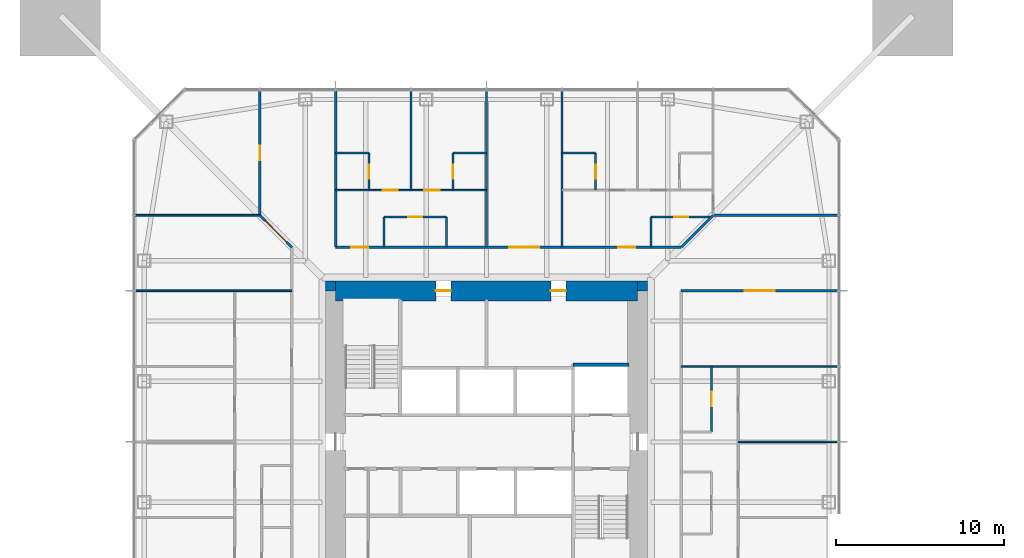
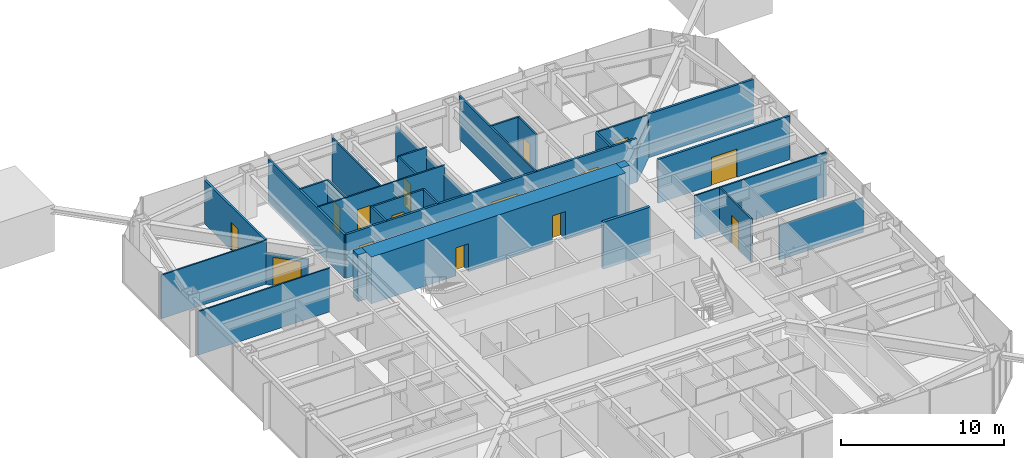
# One storey, part 15 of 25: 31 walls, 16 doors, 16 openings.
"""IFC4 building model written with IfcOpenShell, lengths in metres."""

from ifc_helpers import new_model, si_unit, direction, frame, frame_2d, origin, place, context, subcontext, project, spatial, rectangle, extrude, material, layer, layer_set, type_object, element, fill, save


model = new_model("IFC4")

# Units and contexts
model_context = context("Model", 3, precision=1e-05, world=origin(), true_north=direction((0.0, 1.0)))
body_context = subcontext(model_context, "Body", "Model", "MODEL_VIEW")
ifc_project = project(units=[si_unit("LENGTHUNIT", "METRE"), si_unit("AREAUNIT", "SQUARE_METRE"), si_unit("VOLUMEUNIT", "CUBIC_METRE"), si_unit("PLANEANGLEUNIT", "RADIAN"), si_unit("MASSUNIT", "GRAM", prefix="KILO")], contexts=[model_context])

# Site, building, storey
site_placement = place(None, origin())
site = spatial("IfcSite", under=ifc_project, at=site_placement, CompositionType="ELEMENT")
building_placement = place(site_placement, origin())
building = spatial("IfcBuilding", under=site, at=building_placement, Name="Iwan Alto Co-Living Towers", CompositionType="ELEMENT")
storey_placement = place(building_placement, frame((0.0, 0.0, 105.0)))
storey = spatial("IfcBuildingStorey", under=building, at=storey_placement, Name="L28", CompositionType="ELEMENT", Elevation=105.0)

# Wall, opening, door
ifc_material_1 = material(Name="Gypsum board")
ifc_layer_1 = layer(ifc_material_1, 0.02490234375, Name="Board", Category="Finish")
ifc_material_2 = material(Name="Steel ASTM A1003 ST33H cold-formed studs", Category="steel")
ifc_layer_2 = layer(ifc_material_2, 0.10009765625, Name="Studs", Category="Framing")
ifc_layer_3 = layer(ifc_material_1, 0.02490234375, Name="Board", Category="Finish")
ifc_layer_set_1 = layer_set([ifc_layer_1, ifc_layer_2, ifc_layer_3], Name="CORRIDOR WALL 150")
wall_type_1 = type_object("IfcWallType", Name="CORRIDOR WALL 150", PredefinedType="PARTITIONING", material=ifc_layer_set_1)
wall_1_placement = place(storey_placement, frame((11.60009765625, 9.0, 0.0), z_axis=(0.0, 0.0, 1.0), x_axis=(1.0, 0.0, 0.0)))
wall_1 = element("IfcWall", 1, at=wall_1_placement, inside=storey, type_object=wall_type_1, Name="Partition L28", PredefinedType="PARTITIONING", context=body_context, shape_type="SweptSolid", body=[
    extrude(rectangle(XDim=9.33984375, YDim=0.14990234375, at=frame_2d((4.669921875, 0.0))), origin(), (0.0, 0.0, 1.0), 3.27001953125),
])
opening_1_placement = place(wall_1_placement, frame((3.77001953125, 0.0, 0.0)))
opening_1 = element("IfcOpeningElement", 2, at=opening_1_placement, cuts=wall_1, Name="Opening D9", PredefinedType="OPENING", context=body_context, shape_type="SweptSolid", body=[
    extrude(rectangle(XDim=1.800048828125, YDim=2.10009765625, at=frame_2d((0.89990234375, 1.050048828125))), frame((0.0, 0.0849609375, 0.0), z_axis=(0.0, -1.0, 0.0), x_axis=(1.0, 0.0, 0.0)), (0.0, 0.0, 1.0), 0.169921875),
])
ifc_material_3 = material(Name="Steel frame with timber leaf", Category="steel")
door_type_1 = type_object("IfcDoorType", Name="LOUNGE DOOR FD30S 1800X2100", OperationType="DOUBLE_DOOR_SINGLE_SWING", PredefinedType="DOOR", material=ifc_material_3)
door_1_placement = place(opening_1_placement, frame((1.800048828125, 0.0, 0.0), z_axis=(0.0, 0.0, 1.0), x_axis=(-1.0, 0.0, 0.0)))
door_1 = element("IfcDoor", 3, at=door_1_placement, inside=storey, type_object=door_type_1, Name="Games room door L28", OperationType="DOUBLE_DOOR_SINGLE_SWING", OverallHeight=2.10009765625, OverallWidth=1.800048828125, PredefinedType="DOOR", context=body_context, shape_type="SweptSolid", body=[
    extrude(rectangle(XDim=1.800048828125, YDim=2.10009765625, at=frame_2d((0.89990234375, 1.050048828125))), frame((0.0, 0.02490234375, 0.0), z_axis=(0.0, -1.0, 0.0), x_axis=(1.0, 0.0, 0.0)), (0.0, 0.0, 1.0), 0.050048828125),
])
fill(opening_1, door_1)

# Wall, openings, doors
wall_2_placement = place(storey_placement, frame((-9.0, 11.60009765625, 0.0), z_axis=(0.0, 0.0, 1.0), x_axis=(1.0, 0.0, 0.0)))
wall_2 = element("IfcWall", 4, at=wall_2_placement, inside=storey, type_object=wall_type_1, Name="Partition L28", PredefinedType="PARTITIONING", context=body_context, shape_type="SweptSolid", body=[
    extrude(rectangle(XDim=20.60009765625, YDim=0.14990234375, at=frame_2d((10.300048828125, 0.0))), origin(), (0.0, 0.0, 1.0), 3.27001953125),
])
opening_2_placement = place(wall_2_placement, frame((16.85009765625, 0.0, 0.0)))
opening_2 = element("IfcOpeningElement", 5, at=opening_2_placement, cuts=wall_2, Name="Opening D3", PredefinedType="OPENING", context=body_context, shape_type="SweptSolid", body=[
    extrude(rectangle(XDim=1.0, YDim=2.10009765625, at=frame_2d((0.5, 1.050048828125))), frame((0.0, 0.0849609375, 0.0), z_axis=(0.0, -1.0, 0.0), x_axis=(1.0, 0.0, 0.0)), (0.0, 0.0, 1.0), 0.169921875),
])
opening_3_placement = place(wall_2_placement, frame((10.35009765625, 0.0, 0.0)))
opening_3 = element("IfcOpeningElement", 6, at=opening_3_placement, cuts=wall_2, Name="Opening D9", PredefinedType="OPENING", context=body_context, shape_type="SweptSolid", body=[
    extrude(rectangle(XDim=1.800048828125, YDim=2.10009765625, at=frame_2d((0.89990234375, 1.050048828125))), frame((0.0, 0.0849609375, 0.0), z_axis=(0.0, -1.0, 0.0), x_axis=(1.0, 0.0, 0.0)), (0.0, 0.0, 1.0), 0.169921875),
])
opening_4_placement = place(wall_2_placement, frame((0.949951171875, 0.0, 0.0)))
opening_4 = element("IfcOpeningElement", 7, at=opening_4_placement, cuts=wall_2, Name="Opening D3", PredefinedType="OPENING", context=body_context, shape_type="SweptSolid", body=[
    extrude(rectangle(XDim=1.0, YDim=2.10009765625, at=frame_2d((0.5, 1.050048828125))), frame((0.0, 0.0849609375, 0.0), z_axis=(0.0, -1.0, 0.0), x_axis=(1.0, 0.0, 0.0)), (0.0, 0.0, 1.0), 0.169921875),
])
ifc_material_4 = material(Name="Steel frame with timber leaf", Category="steel")
door_type_2 = type_object("IfcDoorType", Name="FLAT ENTRANCE DOOR FD30S 1000X2100", OperationType="SINGLE_SWING_LEFT", PredefinedType="DOOR", material=ifc_material_4)
door_2_placement = place(opening_2_placement, origin())
door_2 = element("IfcDoor", 8, at=door_2_placement, inside=storey, type_object=door_type_2, Name="Cluster lounge door L28", OperationType="SINGLE_SWING_RIGHT", OverallHeight=2.10009765625, OverallWidth=1.0, PredefinedType="DOOR", context=body_context, shape_type="SweptSolid", body=[
    extrude(rectangle(XDim=1.0, YDim=2.10009765625, at=frame_2d((0.5, 1.050048828125))), frame((0.0, 0.02490234375, 0.0), z_axis=(0.0, -1.0, 0.0), x_axis=(1.0, 0.0, 0.0)), (0.0, 0.0, 1.0), 0.050048828125),
])
fill(opening_2, door_2)
door_3_placement = place(opening_4_placement, origin())
door_3 = element("IfcDoor", 9, at=door_3_placement, inside=storey, type_object=door_type_2, Name="Cluster lounge and shared kitchen door L28", OperationType="SINGLE_SWING_LEFT", OverallHeight=2.10009765625, OverallWidth=1.0, PredefinedType="DOOR", context=body_context, shape_type="SweptSolid", body=[
    extrude(rectangle(XDim=1.0, YDim=2.10009765625, at=frame_2d((0.5, 1.050048828125))), frame((0.0, 0.02490234375, 0.0), z_axis=(0.0, -1.0, 0.0), x_axis=(1.0, 0.0, 0.0)), (0.0, 0.0, 1.0), 0.050048828125),
])
fill(opening_4, door_3)
door_4_placement = place(opening_3_placement, origin())
door_4 = element("IfcDoor", 10, at=door_4_placement, inside=storey, type_object=door_type_1, Name="Reading room door L28", OperationType="DOUBLE_DOOR_SINGLE_SWING", OverallHeight=2.10009765625, OverallWidth=1.800048828125, PredefinedType="DOOR", context=body_context, shape_type="SweptSolid", body=[
    extrude(rectangle(XDim=1.800048828125, YDim=2.10009765625, at=frame_2d((0.89990234375, 1.050048828125))), frame((0.0, 0.02490234375, 0.0), z_axis=(0.0, -1.0, 0.0), x_axis=(1.0, 0.0, 0.0)), (0.0, 0.0, 1.0), 0.050048828125),
])
fill(opening_3, door_4)

# Walls
wall_3_placement = place(storey_placement, frame((13.5, 13.5, 0.0), z_axis=(0.0, 0.0, 1.0), x_axis=(1.0, 0.0, 0.0)))
element("IfcWall", 11, at=wall_3_placement, inside=storey, type_object=wall_type_1, Name="Partition L28", PredefinedType="PARTITIONING", context=body_context, shape_type="SweptSolid", body=[
    extrude(rectangle(XDim=7.43994140625, YDim=0.14990234375, at=frame_2d((3.719970703125, 0.0))), origin(), (0.0, 0.0, 1.0), 3.27001953125),
])
wall_4_placement = place(storey_placement, frame((11.60009765625, 11.60009765625, 0.0), z_axis=(0.0, 0.0, 1.0), x_axis=(0.707106781187, 0.707106781187, 0.0)))
element("IfcWall", 12, at=wall_4_placement, inside=storey, type_object=wall_type_1, Name="Partition L28", PredefinedType="PARTITIONING", context=body_context, shape_type="SweptSolid", body=[
    extrude(rectangle(XDim=2.686767578125, YDim=0.14990234375, at=frame_2d((1.34326171875, 0.0))), origin(), (0.0, 0.0, 1.0), 2.343017578125),
])
wall_5_placement = place(storey_placement, frame((-9.0, 11.60009765625, 0.0), z_axis=(0.0, 0.0, 1.0), x_axis=(0.0, 1.0, 0.0)))
element("IfcWall", 13, at=wall_5_placement, inside=storey, type_object=wall_type_1, Name="Partition L28", PredefinedType="PARTITIONING", context=body_context, shape_type="SweptSolid", body=[
    extrude(rectangle(XDim=9.33984375, YDim=0.14990234375, at=frame_2d((4.669921875, 0.0))), origin(), (0.0, 0.0, 1.0), 3.27001953125),
])

# Wall, opening, door
wall_6_placement = place(storey_placement, frame((-13.5, 13.5, 0.0), z_axis=(0.0, 0.0, 1.0), x_axis=(0.0, 1.0, 0.0)))
wall_6 = element("IfcWall", 14, at=wall_6_placement, inside=storey, type_object=wall_type_1, Name="Partition L28", PredefinedType="PARTITIONING", context=body_context, shape_type="SweptSolid", body=[
    extrude(rectangle(XDim=7.43994140625, YDim=0.14990234375, at=frame_2d((3.719970703125, 0.0))), origin(), (0.0, 0.0, 1.0), 3.27001953125),
])
opening_5_placement = place(wall_6_placement, frame((3.294921875, 0.0, 0.0)))
opening_5 = element("IfcOpeningElement", 15, at=opening_5_placement, cuts=wall_6, Name="Opening D2", PredefinedType="OPENING", context=body_context, shape_type="SweptSolid", body=[
    extrude(rectangle(XDim=0.85009765625, YDim=2.10009765625, at=frame_2d((0.425048828125, 1.050048828125))), frame((0.0, 0.0849609375, 0.0), z_axis=(0.0, -1.0, 0.0), x_axis=(1.0, 0.0, 0.0)), (0.0, 0.0, 1.0), 0.169921875),
])
ifc_material_5 = material(Name="Timber leaf in steel frame", Category="steel")
door_type_3 = type_object("IfcDoorType", Name="ROOM DOOR 850X2100", OperationType="SINGLE_SWING_LEFT", PredefinedType="DOOR", material=ifc_material_5)
door_5_placement = place(opening_5_placement, origin())
door_5 = element("IfcDoor", 16, at=door_5_placement, inside=storey, type_object=door_type_3, Name="Shared kitchen and lounge door L28", OperationType="SINGLE_SWING_LEFT", OverallHeight=2.10009765625, OverallWidth=0.85009765625, PredefinedType="DOOR", context=body_context, shape_type="SweptSolid", body=[
    extrude(rectangle(XDim=0.85009765625, YDim=2.10009765625, at=frame_2d((0.425048828125, 1.050048828125))), frame((0.0, 0.02490234375, 0.0), z_axis=(0.0, -1.0, 0.0), x_axis=(1.0, 0.0, 0.0)), (0.0, 0.0, 1.0), 0.050048828125),
])
fill(opening_5, door_5)

wall_7_placement = place(storey_placement, frame((-11.60009765625, 11.60009765625, 0.0), z_axis=(0.0, 0.0, 1.0), x_axis=(-0.707106781187, 0.707106781187, 0.0)))
wall_7 = element("IfcWall", 17, at=wall_7_placement, inside=storey, type_object=wall_type_1, Name="Partition L28", PredefinedType="PARTITIONING", context=body_context, shape_type="SweptSolid", body=[
    extrude(rectangle(XDim=2.686767578125, YDim=0.14990234375, at=frame_2d((1.34326171875, 0.0))), origin(), (0.0, 0.0, 1.0), 2.343017578125),
])
opening_6_placement = place(wall_7_placement, frame((0.444091796875, 0.0, 0.0)))
opening_6 = element("IfcOpeningElement", 18, at=opening_6_placement, cuts=wall_7, Name="Opening D9", PredefinedType="OPENING", context=body_context, shape_type="SweptSolid", body=[
    extrude(rectangle(XDim=1.800048828125, YDim=2.10009765625, at=frame_2d((0.89990234375, 1.050048828125))), frame((0.0, 0.0849609375, 0.0), z_axis=(0.0, -1.0, 0.0), x_axis=(1.0, 0.0, 0.0)), (0.0, 0.0, 1.0), 0.169921875),
])
door_6_placement = place(opening_6_placement, origin())
door_6 = element("IfcDoor", 19, at=door_6_placement, inside=storey, type_object=door_type_1, Name="Music practice room door L28", OperationType="DOUBLE_DOOR_SINGLE_SWING", OverallHeight=2.10009765625, OverallWidth=1.800048828125, PredefinedType="DOOR", context=body_context, shape_type="SweptSolid", body=[
    extrude(rectangle(XDim=1.800048828125, YDim=2.10009765625, at=frame_2d((0.89990234375, 1.050048828125))), frame((0.0, 0.02490234375, 0.0), z_axis=(0.0, -1.0, 0.0), x_axis=(1.0, 0.0, 0.0)), (0.0, 0.0, 1.0), 0.050048828125),
])
fill(opening_6, door_6)

# Walls
ifc_layer_4 = layer(ifc_material_1, 0.012451171875, Name="Board", Category="Finish")
ifc_layer_5 = layer(ifc_material_2, 0.074951171875, Name="Studs", Category="Framing")
ifc_layer_6 = layer(ifc_material_1, 0.012451171875, Name="Board", Category="Finish")
ifc_layer_set_2 = layer_set([ifc_layer_4, ifc_layer_5, ifc_layer_6], Name="PARTITION 100")
wall_type_2 = type_object("IfcWallType", Name="PARTITION 100", PredefinedType="PARTITIONING", material=ifc_layer_set_2)
wall_8_placement = place(storey_placement, frame((15.0, 0.0, 0.0), z_axis=(0.0, 0.0, 1.0), x_axis=(1.0, 0.0, 0.0)))
element("IfcWall", 20, at=wall_8_placement, inside=storey, type_object=wall_type_2, Name="Partition L28", PredefinedType="PARTITIONING", context=body_context, shape_type="SweptSolid", body=[
    extrude(rectangle(XDim=5.93994140625, YDim=0.10009765625, at=frame_2d((2.969970703125, 0.0))), origin(), (0.0, 0.0, 1.0), 2.586669921875),
])
for number, where, z_axis, x_axis, name in (
    (21, (11.60009765625, 4.5, 0.0), (0.0, 0.0, 1.0), (1.0, 0.0, 0.0), "Partition L28"),
    (22, (-20.93994140625, 9.0, 0.0), (0.0, 0.0, 1.0), (1.0, 0.0, 0.0), "Partition L28"),
):
    element("IfcWall", number, at=place(storey_placement, frame(where, z_axis=z_axis, x_axis=x_axis)), inside=storey, type_object=wall_type_2, Name=name, PredefinedType="PARTITIONING", context=body_context, shape_type="SweptSolid", body=[
        extrude(rectangle(XDim=9.33984375, YDim=0.10009765625, at=frame_2d((4.669921875, 0.0))), origin(), (0.0, 0.0, 1.0), 3.27001953125),
    ])
wall_9_placement = place(storey_placement, frame((-20.93994140625, 13.5, 0.0), z_axis=(0.0, 0.0, 1.0), x_axis=(1.0, 0.0, 0.0)))
element("IfcWall", 23, at=wall_9_placement, inside=storey, type_object=wall_type_2, Name="Partition L28", PredefinedType="PARTITIONING", context=body_context, shape_type="SweptSolid", body=[
    extrude(rectangle(XDim=7.43994140625, YDim=0.10009765625, at=frame_2d((3.719970703125, 0.0))), origin(), (0.0, 0.0, 1.0), 3.27001953125),
])

# Wall, openings, doors
wall_10_placement = place(storey_placement, frame((-9.0, 15.0, 0.0), z_axis=(0.0, 0.0, 1.0), x_axis=(1.0, 0.0, 0.0)))
wall_10 = element("IfcWall", 24, at=wall_10_placement, inside=storey, type_object=wall_type_2, Name="Partition L28", PredefinedType="PARTITIONING", context=body_context, shape_type="SweptSolid", body=[
    extrude(rectangle(XDim=9.0, YDim=0.10009765625, at=frame_2d((4.5, 0.0))), origin(), (0.0, 0.0, 1.0), 3.27001953125),
])
opening_7_placement = place(wall_10_placement, frame((5.300048828125, 0.0, 0.0)))
opening_7 = element("IfcOpeningElement", 25, at=opening_7_placement, cuts=wall_10, Name="Opening D1", PredefinedType="OPENING", context=body_context, shape_type="SweptSolid", body=[
    extrude(rectangle(XDim=0.89990234375, YDim=2.10009765625, at=frame_2d((0.449951171875, 1.050048828125))), frame((0.0, 0.06005859375, 0.0), z_axis=(0.0, -1.0, 0.0), x_axis=(1.0, 0.0, 0.0)), (0.0, 0.0, 1.0), 0.1201171875),
])
opening_8_placement = place(wall_10_placement, frame((2.800048828125, 0.0, 0.0)))
opening_8 = element("IfcOpeningElement", 26, at=opening_8_placement, cuts=wall_10, Name="Opening D1", PredefinedType="OPENING", context=body_context, shape_type="SweptSolid", body=[
    extrude(rectangle(XDim=0.89990234375, YDim=2.10009765625, at=frame_2d((0.449951171875, 1.050048828125))), frame((0.0, 0.06005859375, 0.0), z_axis=(0.0, -1.0, 0.0), x_axis=(1.0, 0.0, 0.0)), (0.0, 0.0, 1.0), 0.1201171875),
])
ifc_material_6 = material(Name="Timber leaf in steel frame", Category="steel")
door_type_4 = type_object("IfcDoorType", Name="BEDROOM DOOR 900X2100", OperationType="SINGLE_SWING_LEFT", PredefinedType="DOOR", material=ifc_material_6)
door_7_placement = place(opening_7_placement, frame((0.89990234375, 0.0, 0.0), z_axis=(0.0, 0.0, 1.0), x_axis=(-1.0, 0.0, 0.0)))
door_7 = element("IfcDoor", 27, at=door_7_placement, inside=storey, type_object=door_type_4, Name="Study bedroom door L28", OperationType="SINGLE_SWING_LEFT", OverallHeight=2.10009765625, OverallWidth=0.89990234375, PredefinedType="DOOR", context=body_context, shape_type="SweptSolid", body=[
    extrude(rectangle(XDim=0.89990234375, YDim=2.10009765625, at=frame_2d((0.449951171875, 1.050048828125))), frame((0.0, 0.02490234375, 0.0), z_axis=(0.0, -1.0, 0.0), x_axis=(1.0, 0.0, 0.0)), (0.0, 0.0, 1.0), 0.050048828125),
])
fill(opening_7, door_7)
door_8_placement = place(opening_8_placement, frame((0.89990234375, 0.0, 0.0), z_axis=(0.0, 0.0, 1.0), x_axis=(-1.0, 0.0, 0.0)))
door_8 = element("IfcDoor", 28, at=door_8_placement, inside=storey, type_object=door_type_4, Name="Study bedroom door L28", OperationType="SINGLE_SWING_RIGHT", OverallHeight=2.10009765625, OverallWidth=0.89990234375, PredefinedType="DOOR", context=body_context, shape_type="SweptSolid", body=[
    extrude(rectangle(XDim=0.89990234375, YDim=2.10009765625, at=frame_2d((0.449951171875, 1.050048828125))), frame((0.0, 0.02490234375, 0.0), z_axis=(0.0, -1.0, 0.0), x_axis=(1.0, 0.0, 0.0)), (0.0, 0.0, 1.0), 0.050048828125),
])
fill(opening_8, door_8)

# Walls
wall_11_placement = place(storey_placement, frame((-4.5, 15.0, 0.0), z_axis=(0.0, 0.0, 1.0), x_axis=(0.0, 1.0, 0.0)))
element("IfcWall", 29, at=wall_11_placement, inside=storey, type_object=wall_type_2, Name="Partition L28", PredefinedType="PARTITIONING", context=body_context, shape_type="SweptSolid", body=[
    extrude(rectangle(XDim=5.93994140625, YDim=0.10009765625, at=frame_2d((2.969970703125, 0.0))), origin(), (0.0, 0.0, 1.0), 3.27001953125),
])
ifc_material_7 = material(Name="Concrete f'c 70 MPa", Category="concrete")
ifc_layer_7 = layer(ifc_material_7, 0.199951171875)
ifc_layer_set_3 = layer_set([ifc_layer_7], Name="SHAFT WALL 200")
wall_type_3 = type_object("IfcWallType", Name="SHAFT WALL 200", PredefinedType="SOLIDWALL", material=ifc_layer_set_3)
wall_12_placement = place(storey_placement, frame((5.14990234375, 4.60009765625, 0.0), z_axis=(0.0, 0.0, 1.0), x_axis=(1.0, 0.0, 0.0)))
element("IfcWall", 30, at=wall_12_placement, inside=storey, type_object=wall_type_3, Name="Shaft wall L28", PredefinedType="SOLIDWALL", context=body_context, shape_type="SweptSolid", body=[
    extrude(rectangle(XDim=3.340087890625, YDim=0.199951171875, at=frame_2d((1.669921875, 0.0))), origin(), (0.0, 0.0, 1.0), 3.5),
])
ifc_material_8 = material(Name="Concrete f'c 70 MPa", Category="concrete")
ifc_layer_8 = layer(ifc_material_8, 0.60009765625)
ifc_layer_set_4 = layer_set([ifc_layer_8], Name="T1 CORE CORNER FILL 600")
wall_type_4 = type_object("IfcWallType", Name="T1 CORE CORNER FILL 600", PredefinedType="SOLIDWALL", material=ifc_layer_set_4)
for number, where, z_axis, x_axis, name in (
    (31, (9.0, 9.300048828125, 0.0), (0.0, 0.0, 1.0), (1.0, 0.0, 0.0), "T1 core corner NE L28"),
    (32, (-9.60009765625, 9.300048828125, 0.0), (0.0, 0.0, 1.0), (1.0, 0.0, 0.0), "T1 core corner NW L28"),
):
    element("IfcWall", number, at=place(storey_placement, frame(where, z_axis=z_axis, x_axis=x_axis)), inside=storey, type_object=wall_type_4, Name=name, PredefinedType="SOLIDWALL", context=body_context, shape_type="SweptSolid", body=[
        extrude(rectangle(XDim=0.60009765625, YDim=0.60009765625, at=frame_2d((0.300048828125, 0.0))), origin(), (0.0, 0.0, 1.0), 3.5),
    ])

# Wall, openings, doors
ifc_material_9 = material(Name="Concrete f'c 70 MPa", Category="concrete")
ifc_layer_9 = layer(ifc_material_9, 1.199951171875)
ifc_layer_set_5 = layer_set([ifc_layer_9], Name="T1 CORE WALL 1200")
wall_type_5 = type_object("IfcWallType", Name="T1 CORE WALL 1200", PredefinedType="SHEAR", material=ifc_layer_set_5)
wall_13_placement = place(storey_placement, frame((9.0, 9.0, 0.0), z_axis=(0.0, 0.0, 1.0), x_axis=(-1.0, 0.0, 0.0)))
wall_13 = element("IfcWall", 33, at=wall_13_placement, inside=storey, type_object=wall_type_5, Name="T1 core wall N L28", PredefinedType="SHEAR", context=body_context, shape_type="SweptSolid", body=[
    extrude(rectangle(XDim=18.0, YDim=1.199951171875, at=frame_2d((9.0, 0.0))), origin(), (0.0, 0.0, 1.0), 3.5),
])
opening_9_placement = place(wall_13_placement, frame((11.125, 0.0, 0.0)))
opening_9 = element("IfcOpeningElement", 34, at=opening_9_placement, cuts=wall_13, Name="Opening D8", PredefinedType="OPENING", context=body_context, shape_type="SweptSolid", body=[
    extrude(rectangle(XDim=0.89990234375, YDim=2.10009765625, at=frame_2d((0.449951171875, 1.050048828125))), frame((0.0, 0.60986328125, 0.0), z_axis=(0.0, -1.0, 0.0), x_axis=(1.0, 0.0, 0.0)), (0.0, 0.0, 1.0), 1.219970703125),
])
opening_10_placement = place(wall_13_placement, frame((4.27490234375, 0.0, 0.0)))
opening_10 = element("IfcOpeningElement", 35, at=opening_10_placement, cuts=wall_13, Name="Opening D8", PredefinedType="OPENING", context=body_context, shape_type="SweptSolid", body=[
    extrude(rectangle(XDim=0.89990234375, YDim=2.10009765625, at=frame_2d((0.449951171875, 1.050048828125))), frame((0.0, 0.60986328125, 0.0), z_axis=(0.0, -1.0, 0.0), x_axis=(1.0, 0.0, 0.0)), (0.0, 0.0, 1.0), 1.219970703125),
])
ifc_material_10 = material(Name="Steel frame with timber leaf", Category="steel")
door_type_5 = type_object("IfcDoorType", Name="RISER DOOR FD120 900X2100", OperationType="SINGLE_SWING_LEFT", PredefinedType="DOOR", material=ifc_material_10)
door_9_placement = place(opening_9_placement, origin())
door_9 = element("IfcDoor", 36, at=door_9_placement, inside=storey, type_object=door_type_5, Name="Electrical riser core door L28", OperationType="SINGLE_SWING_RIGHT", OverallHeight=2.10009765625, OverallWidth=0.89990234375, PredefinedType="DOOR", context=body_context, shape_type="SweptSolid", body=[
    extrude(rectangle(XDim=0.89990234375, YDim=2.10009765625, at=frame_2d((0.449951171875, 1.050048828125))), frame((0.0, 0.02490234375, 0.0), z_axis=(0.0, -1.0, 0.0), x_axis=(1.0, 0.0, 0.0)), (0.0, 0.0, 1.0), 0.050048828125),
])
fill(opening_9, door_9)
door_10_placement = place(opening_10_placement, origin())
door_10 = element("IfcDoor", 37, at=door_10_placement, inside=storey, type_object=door_type_5, Name="Water and drainage riser core door L28", OperationType="SINGLE_SWING_RIGHT", OverallHeight=2.10009765625, OverallWidth=0.89990234375, PredefinedType="DOOR", context=body_context, shape_type="SweptSolid", body=[
    extrude(rectangle(XDim=0.89990234375, YDim=2.10009765625, at=frame_2d((0.449951171875, 1.050048828125))), frame((0.0, 0.02490234375, 0.0), z_axis=(0.0, -1.0, 0.0), x_axis=(1.0, 0.0, 0.0)), (0.0, 0.0, 1.0), 0.050048828125),
])
fill(opening_10, door_10)

# Wall, opening, door
ifc_material_11 = material(Name="Cement board")
ifc_layer_10 = layer(ifc_material_11, 0.012451171875, Name="Board", Category="Finish")
ifc_layer_11 = layer(ifc_material_2, 0.094970703125, Name="Studs", Category="Framing")
ifc_layer_12 = layer(ifc_material_11, 0.012451171875, Name="Board", Category="Finish")
ifc_layer_set_6 = layer_set([ifc_layer_10, ifc_layer_11, ifc_layer_12], Name="WET AREA PARTITION 120")
wall_type_6 = type_object("IfcWallType", Name="WET AREA PARTITION 120", PredefinedType="PARTITIONING", material=ifc_layer_set_6)
wall_14_placement = place(storey_placement, frame((-6.10009765625, 13.39990234375, 0.0), z_axis=(0.0, 0.0, 1.0), x_axis=(1.0, 0.0, 0.0)))
wall_14 = element("IfcWall", 38, at=wall_14_placement, inside=storey, type_object=wall_type_6, Name="Partition L28", PredefinedType="PARTITIONING", context=body_context, shape_type="SweptSolid", body=[
    extrude(rectangle(XDim=3.7001953125, YDim=0.1201171875, at=frame_2d((1.85009765625, 0.0))), origin(), (0.0, 0.0, 1.0), 3.27001953125),
])
opening_11_placement = place(wall_14_placement, frame((1.425048828125, 0.0, 0.0)))
opening_11 = element("IfcOpeningElement", 39, at=opening_11_placement, cuts=wall_14, Name="Opening D2", PredefinedType="OPENING", context=body_context, shape_type="SweptSolid", body=[
    extrude(rectangle(XDim=0.85009765625, YDim=2.10009765625, at=frame_2d((0.425048828125, 1.050048828125))), frame((0.0, 0.070068359375, 0.0), z_axis=(0.0, -1.0, 0.0), x_axis=(1.0, 0.0, 0.0)), (0.0, 0.0, 1.0), 0.14013671875),
])
door_11_placement = place(opening_11_placement, origin())
door_11 = element("IfcDoor", 40, at=door_11_placement, inside=storey, type_object=door_type_3, Name="Accessible bathroom door L28", OperationType="SINGLE_SWING_RIGHT", OverallHeight=2.10009765625, OverallWidth=0.85009765625, PredefinedType="DOOR", context=body_context, shape_type="SweptSolid", body=[
    extrude(rectangle(XDim=0.85009765625, YDim=2.10009765625, at=frame_2d((0.425048828125, 1.050048828125))), frame((0.0, 0.02490234375, 0.0), z_axis=(0.0, -1.0, 0.0), x_axis=(1.0, 0.0, 0.0)), (0.0, 0.0, 1.0), 0.050048828125),
])
fill(opening_11, door_11)

wall_15_placement = place(storey_placement, frame((9.800048828125, 13.39990234375, 0.0), z_axis=(0.0, 0.0, 1.0), x_axis=(1.0, 0.0, 0.0)))
wall_15 = element("IfcWall", 41, at=wall_15_placement, inside=storey, type_object=wall_type_6, Name="Partition L28", PredefinedType="PARTITIONING", context=body_context, shape_type="SweptSolid", body=[
    extrude(rectangle(XDim=3.599853515625, YDim=0.1201171875, at=frame_2d((1.7998046875, 0.0))), origin(), (0.0, 0.0, 1.0), 3.27001953125),
])
opening_12_placement = place(wall_15_placement, frame((1.375, 0.0, 0.0)))
opening_12 = element("IfcOpeningElement", 42, at=opening_12_placement, cuts=wall_15, Name="Opening D2", PredefinedType="OPENING", context=body_context, shape_type="SweptSolid", body=[
    extrude(rectangle(XDim=0.85009765625, YDim=2.10009765625, at=frame_2d((0.425048828125, 1.050048828125))), frame((0.0, 0.070068359375, 0.0), z_axis=(0.0, -1.0, 0.0), x_axis=(1.0, 0.0, 0.0)), (0.0, 0.0, 1.0), 0.14013671875),
])
door_12_placement = place(opening_12_placement, origin())
door_12 = element("IfcDoor", 43, at=door_12_placement, inside=storey, type_object=door_type_3, Name="Bathroom door L28", OperationType="SINGLE_SWING_RIGHT", OverallHeight=2.10009765625, OverallWidth=0.85009765625, PredefinedType="DOOR", context=body_context, shape_type="SweptSolid", body=[
    extrude(rectangle(XDim=0.85009765625, YDim=2.10009765625, at=frame_2d((0.425048828125, 1.050048828125))), frame((0.0, 0.02490234375, 0.0), z_axis=(0.0, -1.0, 0.0), x_axis=(1.0, 0.0, 0.0)), (0.0, 0.0, 1.0), 0.050048828125),
])
fill(opening_12, door_12)

# Walls
for number, where, z_axis, x_axis, name in (
    (44, (-9.0, 17.199951171875, 0.0), (0.0, 0.0, 1.0), (1.0, 0.0, 0.0), "Partition L28"),
    (45, (-2.0, 17.199951171875, 0.0), (0.0, 0.0, 1.0), (1.0, 0.0, 0.0), "Partition L28"),
    (46, (4.5, 17.199951171875, 0.0), (0.0, 0.0, 1.0), (1.0, 0.0, 0.0), "Partition L28"),
):
    element("IfcWall", number, at=place(storey_placement, frame(where, z_axis=z_axis, x_axis=x_axis)), inside=storey, type_object=wall_type_6, Name=name, PredefinedType="PARTITIONING", context=body_context, shape_type="SweptSolid", body=[
        extrude(rectangle(XDim=2.0, YDim=0.1201171875, at=frame_2d((1.0, 0.0))), origin(), (0.0, 0.0, 1.0), 3.27001953125),
    ])

# Wall, opening, door
wall_16_placement = place(storey_placement, frame((13.39990234375, 0.60009765625, 0.0), z_axis=(0.0, 0.0, 1.0), x_axis=(0.0, 1.0, 0.0)))
wall_16 = element("IfcWall", 47, at=wall_16_placement, inside=storey, type_object=wall_type_6, Name="Partition L28", PredefinedType="PARTITIONING", context=body_context, shape_type="SweptSolid", body=[
    extrude(rectangle(XDim=3.89990234375, YDim=0.1201171875, at=frame_2d((1.949951171875, 0.0))), origin(), (0.0, 0.0, 1.0), 3.27001953125),
])
opening_13_placement = place(wall_16_placement, frame((1.52490234375, 0.0, 0.0)))
opening_13 = element("IfcOpeningElement", 48, at=opening_13_placement, cuts=wall_16, Name="Opening D2", PredefinedType="OPENING", context=body_context, shape_type="SweptSolid", body=[
    extrude(rectangle(XDim=0.85009765625, YDim=2.10009765625, at=frame_2d((0.425048828125, 1.050048828125))), frame((0.0, 0.070068359375, 0.0), z_axis=(0.0, -1.0, 0.0), x_axis=(1.0, 0.0, 0.0)), (0.0, 0.0, 1.0), 0.14013671875),
])
door_13_placement = place(opening_13_placement, frame((0.85009765625, 0.0, 0.0), z_axis=(0.0, 0.0, 1.0), x_axis=(-1.0, 0.0, 0.0)))
door_13 = element("IfcDoor", 49, at=door_13_placement, inside=storey, type_object=door_type_3, Name="Laundry door L28", OperationType="SINGLE_SWING_LEFT", OverallHeight=2.10009765625, OverallWidth=0.85009765625, PredefinedType="DOOR", context=body_context, shape_type="SweptSolid", body=[
    extrude(rectangle(XDim=0.85009765625, YDim=2.10009765625, at=frame_2d((0.425048828125, 1.050048828125))), frame((0.0, 0.02490234375, 0.0), z_axis=(0.0, -1.0, 0.0), x_axis=(1.0, 0.0, 0.0)), (0.0, 0.0, 1.0), 0.050048828125),
])
fill(opening_13, door_13)

# Wall
wall_17_placement = place(storey_placement, frame((9.800048828125, 11.60009765625, 0.0), z_axis=(0.0, 0.0, 1.0), x_axis=(0.0, 1.0, 0.0)))
element("IfcWall", 50, at=wall_17_placement, inside=storey, type_object=wall_type_6, Name="Partition L28", PredefinedType="PARTITIONING", context=body_context, shape_type="SweptSolid", body=[
    extrude(rectangle(XDim=1.7998046875, YDim=0.1201171875, at=frame_2d((0.89990234375, 0.0))), origin(), (0.0, 0.0, 1.0), 3.27001953125),
])

# Wall, opening, door
wall_18_placement = place(storey_placement, frame((6.5, 15.0, 0.0), z_axis=(0.0, 0.0, 1.0), x_axis=(0.0, 1.0, 0.0)))
wall_18 = element("IfcWall", 51, at=wall_18_placement, inside=storey, type_object=wall_type_6, Name="Partition L28", PredefinedType="PARTITIONING", context=body_context, shape_type="SweptSolid", body=[
    extrude(rectangle(XDim=2.199951171875, YDim=0.1201171875, at=frame_2d((1.10009765625, 0.0))), origin(), (0.0, 0.0, 1.0), 3.27001953125),
])
opening_14_placement = place(wall_18_placement, frame((0.675048828125, 0.0, 0.0)))
opening_14 = element("IfcOpeningElement", 52, at=opening_14_placement, cuts=wall_18, Name="Opening D2", PredefinedType="OPENING", context=body_context, shape_type="SweptSolid", body=[
    extrude(rectangle(XDim=0.85009765625, YDim=2.10009765625, at=frame_2d((0.425048828125, 1.050048828125))), frame((0.0, 0.070068359375, 0.0), z_axis=(0.0, -1.0, 0.0), x_axis=(1.0, 0.0, 0.0)), (0.0, 0.0, 1.0), 0.14013671875),
])
door_14_placement = place(opening_14_placement, frame((0.85009765625, 0.0, 0.0), z_axis=(0.0, 0.0, 1.0), x_axis=(-1.0, 0.0, 0.0)))
door_14 = element("IfcDoor", 53, at=door_14_placement, inside=storey, type_object=door_type_3, Name="En-suite shower room door L28", OperationType="SINGLE_SWING_RIGHT", OverallHeight=2.10009765625, OverallWidth=0.85009765625, PredefinedType="DOOR", context=body_context, shape_type="SweptSolid", body=[
    extrude(rectangle(XDim=0.85009765625, YDim=2.10009765625, at=frame_2d((0.425048828125, 1.050048828125))), frame((0.0, 0.02490234375, 0.0), z_axis=(0.0, -1.0, 0.0), x_axis=(1.0, 0.0, 0.0)), (0.0, 0.0, 1.0), 0.050048828125),
])
fill(opening_14, door_14)

# Walls
wall_19_placement = place(storey_placement, frame((4.5, 11.60009765625, 0.0), z_axis=(0.0, 0.0, 1.0), x_axis=(0.0, 1.0, 0.0)))
element("IfcWall", 54, at=wall_19_placement, inside=storey, type_object=wall_type_6, Name="Partition L28", PredefinedType="PARTITIONING", context=body_context, shape_type="SweptSolid", body=[
    extrude(rectangle(XDim=9.33984375, YDim=0.1201171875, at=frame_2d((4.669921875, 0.0))), origin(), (0.0, 0.0, 1.0), 3.27001953125),
])
wall_20_placement = place(storey_placement, frame((0.0, 11.60009765625, 0.0), z_axis=(0.0, 0.0, 1.0), x_axis=(0.0, 1.0, 0.0)))
element("IfcWall", 55, at=wall_20_placement, inside=storey, type_object=wall_type_6, Name="Partition L28", PredefinedType="PARTITIONING", context=body_context, shape_type="SweptSolid", body=[
    extrude(rectangle(XDim=9.33984375, YDim=0.1201171875, at=frame_2d((4.669921875, 0.0))), origin(), (0.0, 0.0, 1.0), 2.586669921875),
])

# Wall, opening, door
wall_21_placement = place(storey_placement, frame((-2.0, 15.0, 0.0), z_axis=(0.0, 0.0, 1.0), x_axis=(0.0, 1.0, 0.0)))
wall_21 = element("IfcWall", 56, at=wall_21_placement, inside=storey, type_object=wall_type_6, Name="Partition L28", PredefinedType="PARTITIONING", context=body_context, shape_type="SweptSolid", body=[
    extrude(rectangle(XDim=2.199951171875, YDim=0.1201171875, at=frame_2d((1.10009765625, 0.0))), origin(), (0.0, 0.0, 1.0), 3.27001953125),
])
opening_15_placement = place(wall_21_placement, frame((0.675048828125, 0.0, 0.0)))
opening_15 = element("IfcOpeningElement", 57, at=opening_15_placement, cuts=wall_21, Name="Opening D2", PredefinedType="OPENING", context=body_context, shape_type="SweptSolid", body=[
    extrude(rectangle(XDim=0.85009765625, YDim=2.10009765625, at=frame_2d((0.425048828125, 1.050048828125))), frame((0.0, 0.070068359375, 0.0), z_axis=(0.0, -1.0, 0.0), x_axis=(1.0, 0.0, 0.0)), (0.0, 0.0, 1.0), 0.14013671875),
])
door_15_placement = place(opening_15_placement, origin())
door_15 = element("IfcDoor", 58, at=door_15_placement, inside=storey, type_object=door_type_3, Name="En-suite shower room door L28", OperationType="SINGLE_SWING_LEFT", OverallHeight=2.10009765625, OverallWidth=0.85009765625, PredefinedType="DOOR", context=body_context, shape_type="SweptSolid", body=[
    extrude(rectangle(XDim=0.85009765625, YDim=2.10009765625, at=frame_2d((0.425048828125, 1.050048828125))), frame((0.0, 0.02490234375, 0.0), z_axis=(0.0, -1.0, 0.0), x_axis=(1.0, 0.0, 0.0)), (0.0, 0.0, 1.0), 0.050048828125),
])
fill(opening_15, door_15)

# Walls
for number, where, z_axis, x_axis, name in (
    (59, (-2.39990234375, 11.60009765625, 0.0), (0.0, 0.0, 1.0), (0.0, 1.0, 0.0), "Partition L28"),
    (60, (-6.10009765625, 11.60009765625, 0.0), (0.0, 0.0, 1.0), (0.0, 1.0, 0.0), "Partition L28"),
):
    element("IfcWall", number, at=place(storey_placement, frame(where, z_axis=z_axis, x_axis=x_axis)), inside=storey, type_object=wall_type_6, Name=name, PredefinedType="PARTITIONING", context=body_context, shape_type="SweptSolid", body=[
        extrude(rectangle(XDim=1.7998046875, YDim=0.1201171875, at=frame_2d((0.89990234375, 0.0))), origin(), (0.0, 0.0, 1.0), 3.27001953125),
    ])

# Wall, opening, door
wall_22_placement = place(storey_placement, frame((-7.0, 15.0, 0.0), z_axis=(0.0, 0.0, 1.0), x_axis=(0.0, 1.0, 0.0)))
wall_22 = element("IfcWall", 61, at=wall_22_placement, inside=storey, type_object=wall_type_6, Name="Partition L28", PredefinedType="PARTITIONING", context=body_context, shape_type="SweptSolid", body=[
    extrude(rectangle(XDim=2.199951171875, YDim=0.1201171875, at=frame_2d((1.10009765625, 0.0))), origin(), (0.0, 0.0, 1.0), 3.27001953125),
])
opening_16_placement = place(wall_22_placement, frame((0.675048828125, 0.0, 0.0)))
opening_16 = element("IfcOpeningElement", 62, at=opening_16_placement, cuts=wall_22, Name="Opening D2", PredefinedType="OPENING", context=body_context, shape_type="SweptSolid", body=[
    extrude(rectangle(XDim=0.85009765625, YDim=2.10009765625, at=frame_2d((0.425048828125, 1.050048828125))), frame((0.0, 0.070068359375, 0.0), z_axis=(0.0, -1.0, 0.0), x_axis=(1.0, 0.0, 0.0)), (0.0, 0.0, 1.0), 0.14013671875),
])
door_16_placement = place(opening_16_placement, frame((0.85009765625, 0.0, 0.0), z_axis=(0.0, 0.0, 1.0), x_axis=(-1.0, 0.0, 0.0)))
door_16 = element("IfcDoor", 63, at=door_16_placement, inside=storey, type_object=door_type_3, Name="En-suite shower room door L28", OperationType="SINGLE_SWING_RIGHT", OverallHeight=2.10009765625, OverallWidth=0.85009765625, PredefinedType="DOOR", context=body_context, shape_type="SweptSolid", body=[
    extrude(rectangle(XDim=0.85009765625, YDim=2.10009765625, at=frame_2d((0.425048828125, 1.050048828125))), frame((0.0, 0.02490234375, 0.0), z_axis=(0.0, -1.0, 0.0), x_axis=(1.0, 0.0, 0.0)), (0.0, 0.0, 1.0), 0.050048828125),
])
fill(opening_16, door_16)

save(model, "model.ifc")
